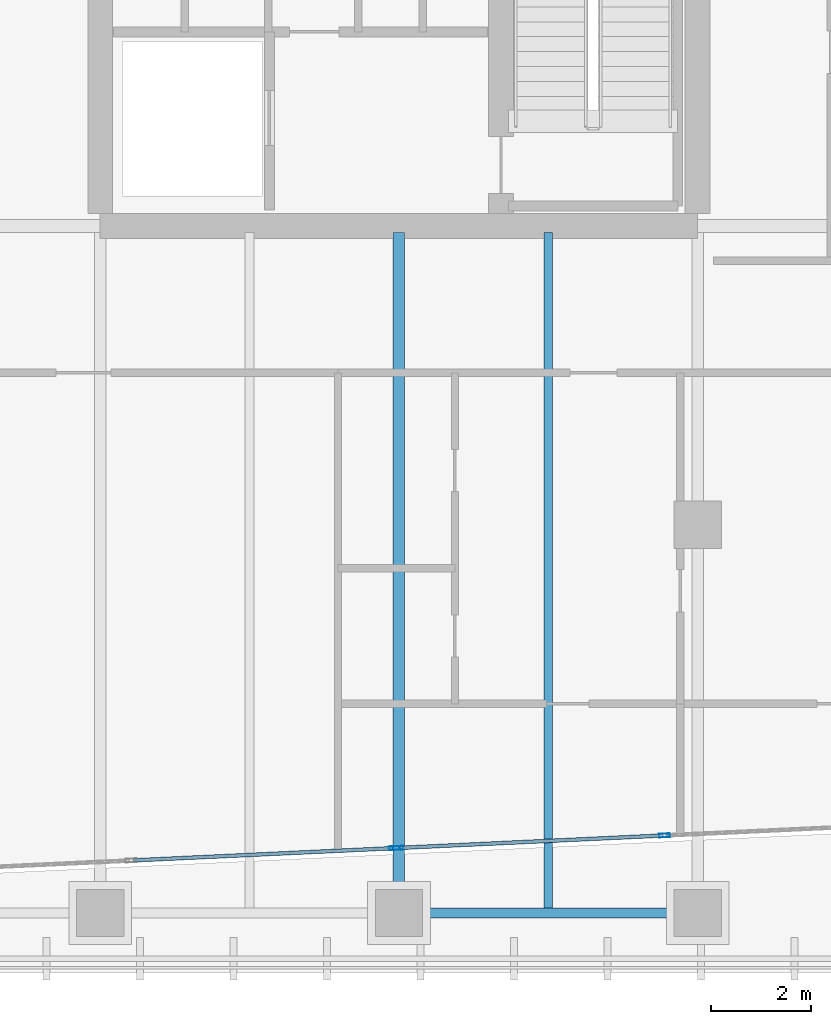
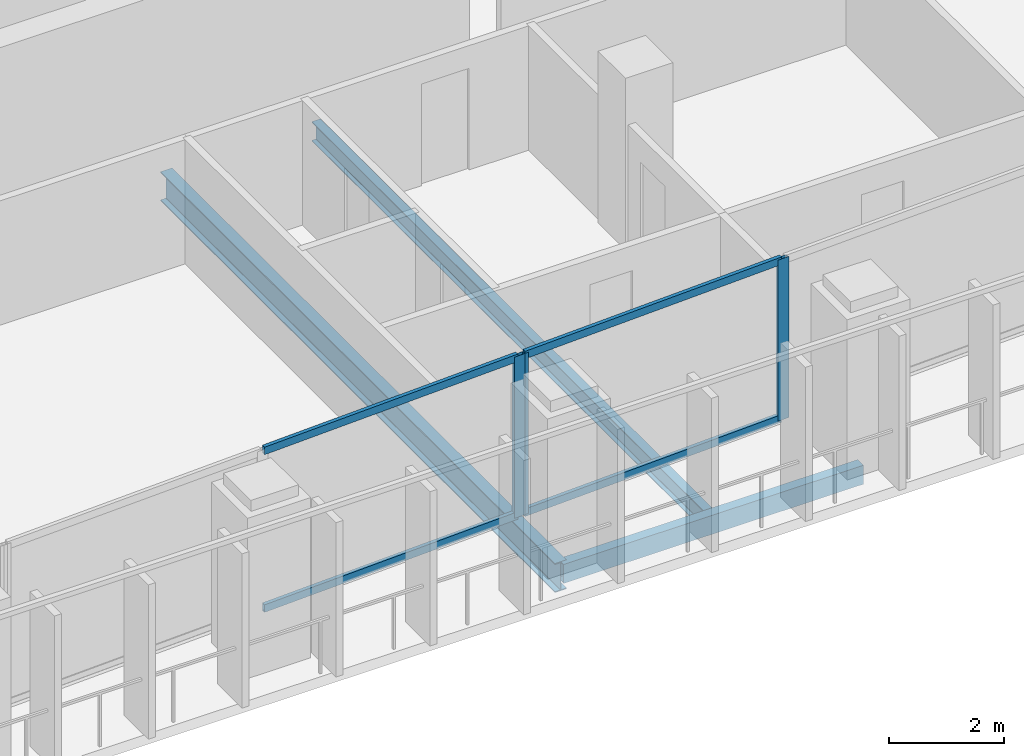
# One storey, part 18 of 39: 7 members, 3 beams, 2 elements without a shape of their own.
"""IFC4 building model written with IfcOpenShell, lengths in metres."""

from ifc_helpers import new_model, si_unit, direction, frame, origin, origin_2d, place, context, subcontext, project, spatial, hollow_rectangle, i_section, extrude, material, layer, layer_set, material_profile, profile_set, type_object, element, aggregate, save


model = new_model("IFC4")

# Units and contexts
model_context = context("Model", 3, precision=1e-05, world=origin(), true_north=direction((0.0, 1.0)))
body_context = subcontext(model_context, "Body", "Model", "MODEL_VIEW")
ifc_project = project(units=[si_unit("LENGTHUNIT", "METRE"), si_unit("AREAUNIT", "SQUARE_METRE"), si_unit("VOLUMEUNIT", "CUBIC_METRE"), si_unit("PLANEANGLEUNIT", "RADIAN"), si_unit("MASSUNIT", "GRAM", prefix="KILO")], contexts=[model_context])

# Site, building, storey
site_placement = place(None, origin())
site = spatial("IfcSite", under=ifc_project, at=site_placement, CompositionType="ELEMENT")
building_placement = place(site_placement, origin())
building = spatial("IfcBuilding", under=site, at=building_placement, Name="Tanjung Sevakor Pilgrim Tower", CompositionType="ELEMENT")
storey_placement = place(building_placement, frame((0.0, 0.0, 108.570068359375)))
storey = spatial("IfcBuildingStorey", under=building, at=storey_placement, Name="L30", CompositionType="ELEMENT", Elevation=108.570068359375)

# Beams
ifc_material_1 = material(Name="Steel S355J2", Category="steel")
ifc_material_profile_1 = material_profile(ifc_material_1, i_section(OverallWidth=0.230224609375, OverallDepth=0.6171875, WebThickness=0.01318359375, FlangeThickness=0.022216796875, FilletRadius=0.0126953125, at=origin_2d()))
ifc_profile_set_1 = profile_set([ifc_material_profile_1], Name="Steel S355J2")
beam_type_1 = type_object("IfcBeamType", Name="BM-B-G3-UB_610x229x140", PredefinedType="BEAM", material=ifc_profile_set_1)
beam_1_placement = place(storey_placement, frame((84.0, 10.800048828125, -0.528564453125), z_axis=(0.0, 1.0, 0.0), x_axis=(-1.0, 0.0, 0.0)))
element("IfcBeam", 1, at=beam_1_placement, inside=storey, type_object=beam_type_1, Name="L30 MAIN Girder 041", PredefinedType="BEAM", context=body_context, shape_type="SweptSolid", body=[
    extrude(i_section(OverallWidth=0.230224609375, OverallDepth=0.6171875, WebThickness=0.01318359375, FlangeThickness=0.022216796875, FilletRadius=0.0126953125, at=origin_2d()), origin(), (0.0, 0.0, 1.0), 13.672607421875),
])
ifc_material_2 = material(Name="Steel S355J2", Category="steel")
ifc_material_profile_2 = material_profile(ifc_material_2, i_section(OverallWidth=0.1787109375, OverallDepth=0.409423828125, WebThickness=0.0087890625, FlangeThickness=0.014404296875, FilletRadius=0.01025390625, at=origin_2d()))
ifc_profile_set_2 = profile_set([ifc_material_profile_2], Name="Steel S355J2")
beam_type_2 = type_object("IfcBeamType", Name="BM-B-J3-UB_406x178x67", PredefinedType="JOIST", material=ifc_profile_set_2)
beam_2_placement = place(storey_placement, frame((87.0, 10.89990234375, -0.4248046875), z_axis=(0.0, 1.0, 0.0), x_axis=(-1.0, 0.0, 0.0)))
element("IfcBeam", 2, at=beam_2_placement, inside=storey, type_object=beam_type_2, Name="L30 MAIN Joist 043", PredefinedType="JOIST", context=body_context, shape_type="SweptSolid", body=[
    extrude(i_section(OverallWidth=0.1787109375, OverallDepth=0.409423828125, WebThickness=0.0087890625, FlangeThickness=0.014404296875, FilletRadius=0.01025390625, at=origin_2d()), origin(), (0.0, 0.0, 1.0), 13.57275390625),
])
ifc_material_3 = material(Name="Steel S355J2", Category="steel")
ifc_material_profile_3 = material_profile(ifc_material_3, hollow_rectangle(XDim=0.199951171875, YDim=0.39990234375, WallThickness=0.01611328125, at=origin_2d()))
ifc_profile_set_3 = profile_set([ifc_material_profile_3], Name="Steel S355J2")
beam_type_3 = type_object("IfcBeamType", Name="BM-B-SP2-RHS_400x200x16", PredefinedType="SPANDREL", material=ifc_profile_set_3)
beam_3_placement = place(storey_placement, frame((84.0, 10.800048828125, -0.420166015625), z_axis=(1.0, 0.0, 0.0), x_axis=(0.0, 1.0, 0.0)))
element("IfcBeam", 3, at=beam_3_placement, inside=storey, type_object=beam_type_3, Name="L30 Spandrel MAIN S-17", PredefinedType="SPANDREL", context=body_context, shape_type="SweptSolid", body=[
    extrude(hollow_rectangle(XDim=0.199951171875, YDim=0.39990234375, WallThickness=0.01611328125, at=origin_2d()), origin(), (0.0, 0.0, 1.0), 6.0),
])

# Curtain wall, member
ifc_material_4 = material(Name="Aluminium 6063-T6 and Low-E Glass", Category="aluminium")
ifc_layer = layer(ifc_material_4, 0.199951171875)
ifc_layer_set = layer_set([ifc_layer], Name="CW-SYS-PRAY")
curtain_wall_type = type_object("IfcCurtainWallType", Name="CW-SYS-PRAY", PredefinedType="NOTDEFINED", material=ifc_layer_set)
curtain_wall_1_placement = place(storey_placement, origin())
curtain_wall_1 = element("IfcCurtainWall", 4, at=curtain_wall_1_placement, inside=storey, type_object=curtain_wall_type, Name="L30 Curtain Wall CW-PRY-L30-11", PredefinedType="NOTDEFINED")
ifc_material_5 = material(Name="Aluminium 6063-T6", Category="aluminium")
ifc_material_profile_4 = material_profile(ifc_material_5, hollow_rectangle(XDim=0.074951171875, YDim=0.219970703125, WallThickness=0.0048828125, at=origin_2d()))
ifc_profile_set_4 = profile_set([ifc_material_profile_4], Name="Aluminium 6063-T6")
member_type_1 = type_object("IfcMemberType", Name="TYPE-CWM-2", PredefinedType="MULLION", material=ifc_profile_set_4)
member_1_placement = place(storey_placement, frame((83.90673828125, 12.10302734375, 0.0), z_axis=(0.0, 0.0, 1.0), x_axis=(-0.046903911367, 0.998899405896, 0.0)))
member_1 = element("IfcMember", 5, at=member_1_placement, type_object=member_type_1, Name="CW-PRY mullion 3", PredefinedType="MULLION", context=body_context, shape_type="SweptSolid", body=[
    extrude(hollow_rectangle(XDim=0.074951171875, YDim=0.219970703125, WallThickness=0.0048828125, at=origin_2d()), origin(), (0.0, 0.0, 1.0), 3.409912109375),
])

# Curtain wall, members
curtain_wall_2_placement = place(storey_placement, origin())
curtain_wall_2 = element("IfcCurtainWall", 6, at=curtain_wall_2_placement, inside=storey, type_object=curtain_wall_type, Name="L30 Curtain Wall CW-PRY-L30-12", PredefinedType="NOTDEFINED")
member_2_placement = place(storey_placement, frame((83.9814453125, 12.106689453125, 0.0), z_axis=(0.0, 0.0, 1.0), x_axis=(-0.046892491411, 0.998899942061, 0.0)))
member_2 = element("IfcMember", 7, at=member_2_placement, type_object=member_type_1, Name="CW-PRY mullion 1", PredefinedType="MULLION", context=body_context, shape_type="SweptSolid", body=[
    extrude(hollow_rectangle(XDim=0.074951171875, YDim=0.219970703125, WallThickness=0.0048828125, at=origin_2d()), origin(), (0.0, 0.0, 1.0), 3.409912109375),
])
member_3_placement = place(storey_placement, frame((89.33447265625, 12.35791015625, 0.0), z_axis=(0.0, 0.0, 1.0), x_axis=(-0.046892491411, 0.998899942061, 0.0)))
member_3 = element("IfcMember", 8, at=member_3_placement, type_object=member_type_1, Name="CW-PRY mullion 2", PredefinedType="MULLION", context=body_context, shape_type="SweptSolid", body=[
    extrude(hollow_rectangle(XDim=0.074951171875, YDim=0.219970703125, WallThickness=0.0048828125, at=origin_2d()), origin(), (0.0, 0.0, 1.0), 3.409912109375),
])

# Member
ifc_material_6 = material(Name="Aluminium 6063-T6", Category="aluminium")
ifc_material_profile_5 = material_profile(ifc_material_6, hollow_rectangle(XDim=0.074951171875, YDim=0.159912109375, WallThickness=0.00439453125, at=origin_2d()))
ifc_profile_set_5 = profile_set([ifc_material_profile_5], Name="Aluminium 6063-T6")
member_type_2 = type_object("IfcMemberType", Name="TYPE-CWT-2", PredefinedType="USERDEFINED", material=ifc_profile_set_5)
member_4_placement = place(storey_placement, frame((78.659423828125, 11.856689453125, 0.037353515625), z_axis=(0.998899373751, 0.046904595928, 0.0), x_axis=(-0.046904595928, 0.998899373751, 0.0)))
member_4 = element("IfcMember", 9, at=member_4_placement, type_object=member_type_2, Name="CW-PRY transom 2.1", ObjectType="TRANSOM", PredefinedType="USERDEFINED", context=body_context, shape_type="SweptSolid", body=[
    extrude(hollow_rectangle(XDim=0.074951171875, YDim=0.159912109375, WallThickness=0.00439453125, at=origin_2d()), origin(), (0.0, 0.0, 1.0), 5.215576171875),
])

member_5_placement = place(storey_placement, frame((78.659423828125, 11.856689453125, 3.372314453125), z_axis=(0.998899373751, 0.046904595928, 0.0), x_axis=(-0.046904595928, 0.998899373751, 0.0)))
member_5 = element("IfcMember", 10, at=member_5_placement, type_object=member_type_2, Name="CW-PRY transom 2.2", ObjectType="TRANSOM", PredefinedType="USERDEFINED", context=body_context, shape_type="SweptSolid", body=[
    extrude(hollow_rectangle(XDim=0.074951171875, YDim=0.159912109375, WallThickness=0.00439453125, at=origin_2d()), origin(), (0.0, 0.0, 1.0), 5.215576171875),
])

aggregate(curtain_wall_1, [member_1, member_4, member_5])

member_6_placement = place(storey_placement, frame((84.01904296875, 12.1083984375, 0.037353515625), z_axis=(0.998899693598, 0.046897783848, 0.0), x_axis=(-0.046897783848, 0.998899693598, 0.0)))
member_6 = element("IfcMember", 11, at=member_6_placement, type_object=member_type_2, Name="CW-PRY transom 1.1", ObjectType="TRANSOM", PredefinedType="USERDEFINED", context=body_context, shape_type="SweptSolid", body=[
    extrude(hollow_rectangle(XDim=0.074951171875, YDim=0.159912109375, WallThickness=0.00439453125, at=origin_2d()), origin(), (0.0, 0.0, 1.0), 5.283935546875),
])

member_7_placement = place(storey_placement, frame((84.01904296875, 12.1083984375, 3.372314453125), z_axis=(0.998899693598, 0.046897783848, 0.0), x_axis=(-0.046897783848, 0.998899693598, 0.0)))
member_7 = element("IfcMember", 12, at=member_7_placement, type_object=member_type_2, Name="CW-PRY transom 1.2", ObjectType="TRANSOM", PredefinedType="USERDEFINED", context=body_context, shape_type="SweptSolid", body=[
    extrude(hollow_rectangle(XDim=0.074951171875, YDim=0.159912109375, WallThickness=0.00439453125, at=origin_2d()), origin(), (0.0, 0.0, 1.0), 5.283935546875),
])

aggregate(curtain_wall_2, [member_2, member_3, member_6, member_7])

save(model, "model.ifc")
